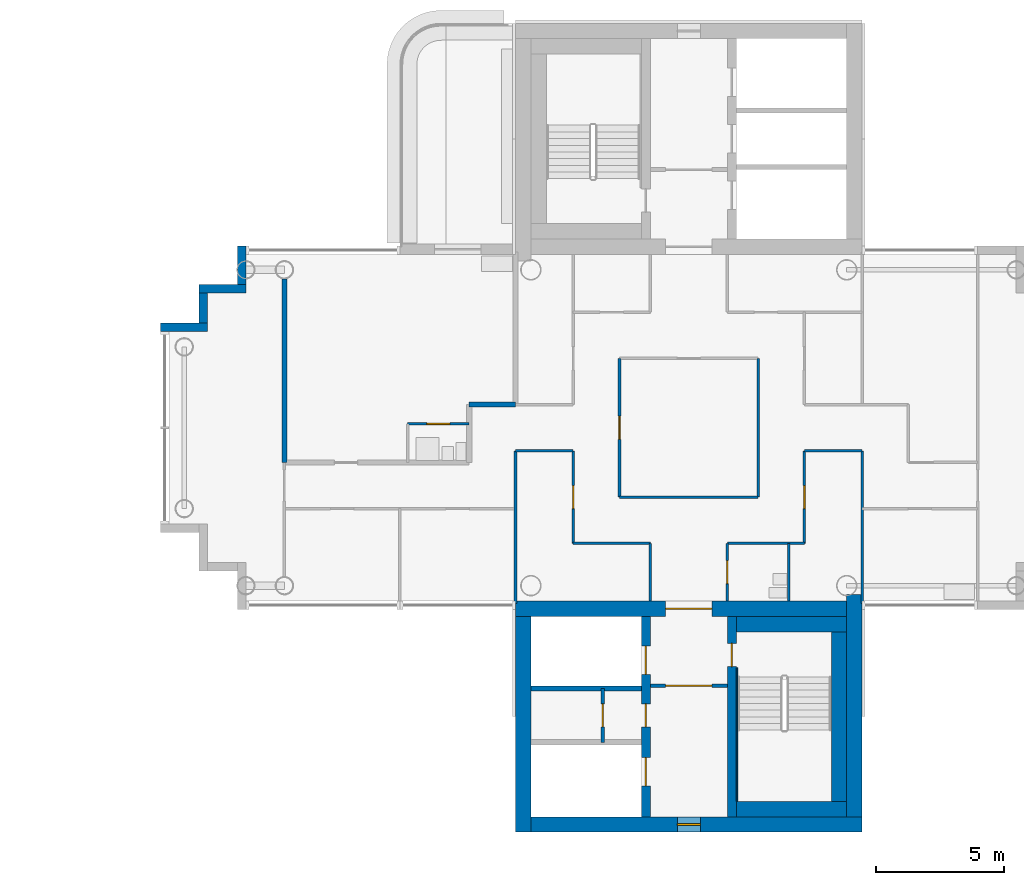
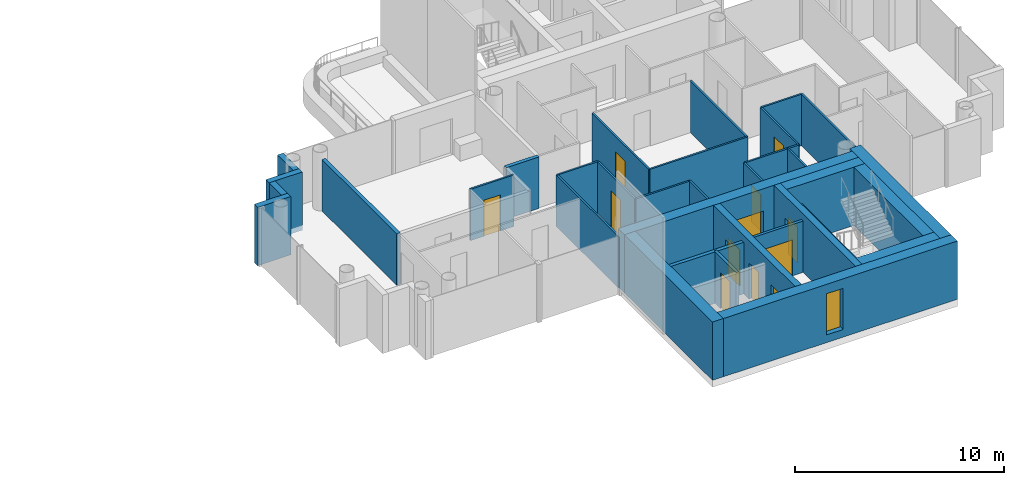
# One storey, part 9 of 18: 34 walls, 12 doors, 1 window, 13 openings.
"""IFC4 building model written with IfcOpenShell, lengths in metres."""

from ifc_helpers import new_model, si_unit, direction, frame, frame_2d, origin, place, context, subcontext, project, spatial, rectangle, extrude, material, layer, layer_set, type_object, element, fill, save


model = new_model("IFC4")

# Units and contexts
model_context = context("Model", 3, precision=1e-05, world=origin(), true_north=direction((0.0, 1.0)))
body_context = subcontext(model_context, "Body", "Model", "MODEL_VIEW")
ifc_project = project(units=[si_unit("LENGTHUNIT", "METRE"), si_unit("AREAUNIT", "SQUARE_METRE"), si_unit("VOLUMEUNIT", "CUBIC_METRE"), si_unit("PLANEANGLEUNIT", "RADIAN"), si_unit("MASSUNIT", "GRAM", prefix="KILO")], contexts=[model_context])

# Site, building, storey
site_placement = place(None, origin())
site = spatial("IfcSite", under=ifc_project, at=site_placement, CompositionType="ELEMENT")
building_placement = place(site_placement, origin())
building = spatial("IfcBuilding", under=site, at=building_placement, Name="Ipe Terrace Towers", CompositionType="ELEMENT")
storey_placement = place(building_placement, frame((0.0, 0.0, 226.60009765625)))
storey = spatial("IfcBuildingStorey", under=building, at=storey_placement, Name="L63", CompositionType="ELEMENT", Elevation=226.60009765625)

# Walls
ifc_material_1 = material(Name="Concrete C40/50 with buff precast cladding", Category="concrete")
ifc_layer_1 = layer(ifc_material_1, 0.320068359375)
ifc_layer_set_1 = layer_set([ifc_layer_1], Name="BUFF CLADDING WALL 320")
wall_type_1 = type_object("IfcWallType", Name="BUFF CLADDING WALL 320", PredefinedType="STANDARD", material=ifc_layer_set_1)
wall_1_placement = place(storey_placement, frame((18.590087890625, 7.070068359375, -0.300048828125), z_axis=(0.0, 0.0, 1.0), x_axis=(0.0, -1.0, 0.0)))
element("IfcWall", 1, at=wall_1_placement, inside=storey, type_object=wall_type_1, Name="T2-W-L63-22a wall", PredefinedType="STANDARD", context=body_context, shape_type="SweptSolid", body=[
    extrude(rectangle(XDim=1.5, YDim=0.320068359375, at=frame_2d((0.75, 0.0))), origin(), (0.0, 0.0, 1.0), 3.39990234375),
])
wall_2_placement = place(storey_placement, frame((18.75, 5.409912109375, -0.300048828125), z_axis=(0.0, 0.0, 1.0), x_axis=(-1.0, 0.0, 0.0)))
element("IfcWall", 2, at=wall_2_placement, inside=storey, type_object=wall_type_1, Name="T2-W-L63-23a wall", PredefinedType="STANDARD", context=body_context, shape_type="SweptSolid", body=[
    extrude(rectangle(XDim=1.820068359375, YDim=0.320068359375, at=frame_2d((0.91015625, 0.0))), origin(), (0.0, 0.0, 1.0), 3.39990234375),
])
wall_3_placement = place(storey_placement, frame((17.090087890625, 5.25, -0.300048828125), z_axis=(0.0, 0.0, 1.0), x_axis=(0.0, -1.0, 0.0)))
element("IfcWall", 3, at=wall_3_placement, inside=storey, type_object=wall_type_1, Name="T2-W-L63-24a wall", PredefinedType="STANDARD", context=body_context, shape_type="SweptSolid", body=[
    extrude(rectangle(XDim=1.179931640625, YDim=0.320068359375, at=frame_2d((0.58984375, 0.0))), origin(), (0.0, 0.0, 1.0), 3.39990234375),
])
wall_4_placement = place(storey_placement, frame((17.25, 3.909912109375, -0.300048828125), z_axis=(0.0, 0.0, 1.0), x_axis=(-1.0, 0.0, 0.0)))
element("IfcWall", 4, at=wall_4_placement, inside=storey, type_object=wall_type_1, Name="T2-W-L63-25a wall", PredefinedType="STANDARD", context=body_context, shape_type="SweptSolid", body=[
    extrude(rectangle(XDim=1.820068359375, YDim=0.320068359375, at=frame_2d((0.91015625, 0.0))), origin(), (0.0, 0.0, 1.0), 3.39990234375),
])
ifc_material_2 = material(Name="Gypsum board partition", Category="plasterboard")
ifc_layer_2 = layer(ifc_material_2, 0.10009765625)
ifc_layer_set_2 = layer_set([ifc_layer_2], Name="Gypsum board partition 100 mm")
wall_type_2 = type_object("IfcWallType", Name="Gypsum board partition 100 mm", PredefinedType="PARTITIONING", material=ifc_layer_set_2)
for number, where, z_axis, x_axis, name in (
    (5, (40.5, -4.5, 0.0), (0.0, 0.0, 1.0), (-1.0, 0.0, 0.0), "Gypsum board partition T2 L63 W01"),
    (6, (34.5, -4.5, 0.0), (0.0, 0.0, 1.0), (-1.0, 0.0, 0.0), "Gypsum board partition T2 L63 W02"),
):
    element("IfcWall", number, at=place(storey_placement, frame(where, z_axis=z_axis, x_axis=x_axis)), inside=storey, type_object=wall_type_2, Name=name, PredefinedType="PARTITIONING", context=body_context, shape_type="SweptSolid", body=[
        extrude(rectangle(XDim=3.0, YDim=0.10009765625, at=frame_2d((1.5, 0.0))), origin(), (0.0, 0.0, 1.0), 3.0),
    ])
wall_5_placement = place(storey_placement, frame((38.699951171875, -2.699951171875, 0.0), z_axis=(0.0, 0.0, 1.0), x_axis=(-1.0, 0.0, 0.0)))
element("IfcWall", 7, at=wall_5_placement, inside=storey, type_object=wall_type_2, Name="Gypsum board partition T2 L63 W05", PredefinedType="PARTITIONING", context=body_context, shape_type="SweptSolid", body=[
    extrude(rectangle(XDim=5.39990234375, YDim=0.10009765625, at=frame_2d((2.699951171875, 0.0))), origin(), (0.0, 0.0, 1.0), 3.0),
])
for number, where, z_axis, x_axis, name in (
    (8, (42.75, -0.89990234375, 0.0), (0.0, 0.0, 1.0), (-1.0, 0.0, 0.0), "Gypsum board partition T2 L63 W08"),
    (9, (31.5, -0.89990234375, 0.0), (0.0, 0.0, 1.0), (-1.0, 0.0, 0.0), "Gypsum board partition T2 L63 W09"),
):
    element("IfcWall", number, at=place(storey_placement, frame(where, z_axis=z_axis, x_axis=x_axis)), inside=storey, type_object=wall_type_2, Name=name, PredefinedType="PARTITIONING", context=body_context, shape_type="SweptSolid", body=[
        extrude(rectangle(XDim=2.25, YDim=0.10009765625, at=frame_2d((1.125, 0.0))), origin(), (0.0, 0.0, 1.0), 3.0),
    ])

# Wall, opening, door
wall_6_placement = place(storey_placement, frame((27.449951171875, 0.14990234375, 0.0), z_axis=(0.0, 0.0, 1.0), x_axis=(-1.0, 0.0, 0.0)))
wall_6 = element("IfcWall", 10, at=wall_6_placement, inside=storey, type_object=wall_type_2, Name="Gypsum board partition T2 L63 W10", PredefinedType="PARTITIONING", context=body_context, shape_type="SweptSolid", body=[
    extrude(rectangle(XDim=2.39990234375, YDim=0.10009765625, at=frame_2d((1.199951171875, 0.0))), origin(), (0.0, 0.0, 1.0), 3.0),
])
opening_1_placement = place(wall_6_placement, frame((0.75, 0.0, 0.0)))
opening_1 = element("IfcOpeningElement", 11, at=opening_1_placement, cuts=wall_6, Name="Opening T2-Z4A-13", PredefinedType="OPENING", context=body_context, shape_type="SweptSolid", body=[
    extrude(rectangle(XDim=0.89990234375, YDim=2.10009765625, at=frame_2d((0.449951171875, 1.050048828125))), frame((0.0, 0.06005859375, 0.0), z_axis=(0.0, -1.0, 0.0), x_axis=(1.0, 0.0, 0.0)), (0.0, 0.0, 1.0), 0.1201171875),
])
ifc_material_3 = material(Name="Timber door leaf", Category="wood")
door_type_1 = type_object("IfcDoorType", Name="Bathroom door 900 x 2100", OperationType="NOTDEFINED", PredefinedType="DOOR", material=ifc_material_3)
door_1_placement = place(opening_1_placement, origin())
door_1 = element("IfcDoor", 12, at=door_1_placement, inside=storey, type_object=door_type_1, Name="Bathroom door T2-Z4A-13", OperationType="SINGLE_SWING_LEFT", OverallHeight=2.10009765625, OverallWidth=0.89990234375, PredefinedType="DOOR", context=body_context, shape_type="SweptSolid", body=[
    extrude(rectangle(XDim=0.89990234375, YDim=2.10009765625, at=frame_2d((0.449951171875, 1.050048828125))), frame((0.0, 0.02490234375, 0.0), z_axis=(0.0, -1.0, 0.0), x_axis=(1.0, 0.0, 0.0)), (0.0, 0.0, 1.0), 0.050048828125),
])
fill(opening_1, door_1)

# Wall
wall_7_placement = place(storey_placement, frame((42.75, -6.85009765625, 0.0), z_axis=(0.0, 0.0, 1.0), x_axis=(0.0, 1.0, 0.0)))
element("IfcWall", 13, at=wall_7_placement, inside=storey, type_object=wall_type_2, Name="Gypsum board partition T2 L63 W19", PredefinedType="PARTITIONING", context=body_context, shape_type="SweptSolid", body=[
    extrude(rectangle(XDim=5.9501953125, YDim=0.10009765625, at=frame_2d((2.97509765625, 0.0))), origin(), (0.0, 0.0, 1.0), 3.0),
])

# Wall, opening, door
wall_8_placement = place(storey_placement, frame((40.5, -4.5, 0.0), z_axis=(0.0, 0.0, 1.0), x_axis=(0.0, 1.0, 0.0)))
wall_8 = element("IfcWall", 14, at=wall_8_placement, inside=storey, type_object=wall_type_2, Name="Gypsum board partition T2 L63 W21", PredefinedType="PARTITIONING", context=body_context, shape_type="SweptSolid", body=[
    extrude(rectangle(XDim=3.60009765625, YDim=0.10009765625, at=frame_2d((1.800048828125, 0.0))), origin(), (0.0, 0.0, 1.0), 3.0),
])
opening_2_placement = place(wall_8_placement, frame((1.35009765625, 0.0, 0.0)))
opening_2 = element("IfcOpeningElement", 15, at=opening_2_placement, cuts=wall_8, Name="Opening T2-Z4A-07", PredefinedType="OPENING", context=body_context, shape_type="SweptSolid", body=[
    extrude(rectangle(XDim=0.89990234375, YDim=2.10009765625, at=frame_2d((0.449951171875, 1.050048828125))), frame((0.0, 0.06005859375, 0.0), z_axis=(0.0, -1.0, 0.0), x_axis=(1.0, 0.0, 0.0)), (0.0, 0.0, 1.0), 0.1201171875),
])
ifc_material_4 = material(Name="Timber door leaf", Category="wood")
door_type_2 = type_object("IfcDoorType", Name="Lounge door 900 x 2100", OperationType="NOTDEFINED", PredefinedType="DOOR", material=ifc_material_4)
door_2_placement = place(opening_2_placement, origin())
door_2 = element("IfcDoor", 16, at=door_2_placement, inside=storey, type_object=door_type_2, Name="Lounge door T2-Z4A-07", OperationType="SINGLE_SWING_LEFT", OverallHeight=2.10009765625, OverallWidth=0.89990234375, PredefinedType="DOOR", context=body_context, shape_type="SweptSolid", body=[
    extrude(rectangle(XDim=0.89990234375, YDim=2.10009765625, at=frame_2d((0.449951171875, 1.050048828125))), frame((0.0, 0.02490234375, 0.0), z_axis=(0.0, -1.0, 0.0), x_axis=(1.0, 0.0, 0.0)), (0.0, 0.0, 1.0), 0.050048828125),
])
fill(opening_2, door_2)

# Walls
wall_9_placement = place(storey_placement, frame((39.89990234375, -6.75, 0.0), z_axis=(0.0, 0.0, 1.0), x_axis=(0.0, 1.0, 0.0)))
element("IfcWall", 17, at=wall_9_placement, inside=storey, type_object=wall_type_2, Name="Gypsum board partition T2 L63 W23", PredefinedType="PARTITIONING", context=body_context, shape_type="SweptSolid", body=[
    extrude(rectangle(XDim=2.25, YDim=0.10009765625, at=frame_2d((1.125, 0.0))), origin(), (0.0, 0.0, 1.0), 3.0),
])
wall_10_placement = place(storey_placement, frame((38.699951171875, -2.699951171875, 0.0), z_axis=(0.0, 0.0, 1.0), x_axis=(0.0, 1.0, 0.0)))
element("IfcWall", 18, at=wall_10_placement, inside=storey, type_object=wall_type_2, Name="Gypsum board partition T2 L63 W24", PredefinedType="PARTITIONING", context=body_context, shape_type="SweptSolid", body=[
    extrude(rectangle(XDim=5.39990234375, YDim=0.10009765625, at=frame_2d((2.699951171875, 0.0))), origin(), (0.0, 0.0, 1.0), 3.0),
])

# Wall, opening, door
wall_11_placement = place(storey_placement, frame((37.5, -6.75, 0.0), z_axis=(0.0, 0.0, 1.0), x_axis=(0.0, 1.0, 0.0)))
wall_11 = element("IfcWall", 19, at=wall_11_placement, inside=storey, type_object=wall_type_2, Name="Gypsum board partition T2 L63 W25", PredefinedType="PARTITIONING", context=body_context, shape_type="SweptSolid", body=[
    extrude(rectangle(XDim=2.25, YDim=0.10009765625, at=frame_2d((1.125, 0.0))), origin(), (0.0, 0.0, 1.0), 3.0),
])
opening_3_placement = place(wall_11_placement, frame((0.675048828125, 0.0, 0.0)))
opening_3 = element("IfcOpeningElement", 20, at=opening_3_placement, cuts=wall_11, Name="Opening T2-Z4A-03", PredefinedType="OPENING", context=body_context, shape_type="SweptSolid", body=[
    extrude(rectangle(XDim=0.89990234375, YDim=2.10009765625, at=frame_2d((0.449951171875, 1.050048828125))), frame((0.0, 0.06005859375, 0.0), z_axis=(0.0, -1.0, 0.0), x_axis=(1.0, 0.0, 0.0)), (0.0, 0.0, 1.0), 0.1201171875),
])
door_3_placement = place(opening_3_placement, origin())
door_3 = element("IfcDoor", 21, at=door_3_placement, inside=storey, type_object=door_type_1, Name="Bathroom door T2-Z4A-03", OperationType="SINGLE_SWING_RIGHT", OverallHeight=2.10009765625, OverallWidth=0.89990234375, PredefinedType="DOOR", context=body_context, shape_type="SweptSolid", body=[
    extrude(rectangle(XDim=0.89990234375, YDim=2.10009765625, at=frame_2d((0.449951171875, 1.050048828125))), frame((0.0, 0.02490234375, 0.0), z_axis=(0.0, -1.0, 0.0), x_axis=(1.0, 0.0, 0.0)), (0.0, 0.0, 1.0), 0.050048828125),
])
fill(opening_3, door_3)

# Wall
wall_12_placement = place(storey_placement, frame((34.5, -6.75, 0.0), z_axis=(0.0, 0.0, 1.0), x_axis=(0.0, 1.0, 0.0)))
element("IfcWall", 22, at=wall_12_placement, inside=storey, type_object=wall_type_2, Name="Gypsum board partition T2 L63 W27", PredefinedType="PARTITIONING", context=body_context, shape_type="SweptSolid", body=[
    extrude(rectangle(XDim=2.25, YDim=0.10009765625, at=frame_2d((1.125, 0.0))), origin(), (0.0, 0.0, 1.0), 3.0),
])

# Wall, opening, door
wall_13_placement = place(storey_placement, frame((33.300048828125, -2.699951171875, 0.0), z_axis=(0.0, 0.0, 1.0), x_axis=(0.0, 1.0, 0.0)))
wall_13 = element("IfcWall", 23, at=wall_13_placement, inside=storey, type_object=wall_type_2, Name="Gypsum board partition T2 L63 W29", PredefinedType="PARTITIONING", context=body_context, shape_type="SweptSolid", body=[
    extrude(rectangle(XDim=5.39990234375, YDim=0.10009765625, at=frame_2d((2.699951171875, 0.0))), origin(), (0.0, 0.0, 1.0), 3.0),
])
opening_4_placement = place(wall_13_placement, frame((2.25, 0.0, 0.0)))
opening_4 = element("IfcOpeningElement", 24, at=opening_4_placement, cuts=wall_13, Name="Opening T2-Z4A-01", PredefinedType="OPENING", context=body_context, shape_type="SweptSolid", body=[
    extrude(rectangle(XDim=0.89990234375, YDim=2.10009765625, at=frame_2d((0.449951171875, 1.050048828125))), frame((0.0, 0.06005859375, 0.0), z_axis=(0.0, -1.0, 0.0), x_axis=(1.0, 0.0, 0.0)), (0.0, 0.0, 1.0), 0.1201171875),
])
door_4_placement = place(opening_4_placement, origin())
door_4 = element("IfcDoor", 25, at=door_4_placement, inside=storey, type_object=door_type_2, Name="Lounge door T2-Z4A-01", OperationType="SINGLE_SWING_RIGHT", OverallHeight=2.10009765625, OverallWidth=0.89990234375, PredefinedType="DOOR", context=body_context, shape_type="SweptSolid", body=[
    extrude(rectangle(XDim=0.89990234375, YDim=2.10009765625, at=frame_2d((0.449951171875, 1.050048828125))), frame((0.0, 0.02490234375, 0.0), z_axis=(0.0, -1.0, 0.0), x_axis=(1.0, 0.0, 0.0)), (0.0, 0.0, 1.0), 0.050048828125),
])
fill(opening_4, door_4)

wall_14_placement = place(storey_placement, frame((31.5, -4.5, 0.0), z_axis=(0.0, 0.0, 1.0), x_axis=(0.0, 1.0, 0.0)))
wall_14 = element("IfcWall", 26, at=wall_14_placement, inside=storey, type_object=wall_type_2, Name="Gypsum board partition T2 L63 W30", PredefinedType="PARTITIONING", context=body_context, shape_type="SweptSolid", body=[
    extrude(rectangle(XDim=3.60009765625, YDim=0.10009765625, at=frame_2d((1.800048828125, 0.0))), origin(), (0.0, 0.0, 1.0), 3.0),
])
opening_5_placement = place(wall_14_placement, frame((1.35009765625, 0.0, 0.0)))
opening_5 = element("IfcOpeningElement", 27, at=opening_5_placement, cuts=wall_14, Name="Opening T2-Z4A-06", PredefinedType="OPENING", context=body_context, shape_type="SweptSolid", body=[
    extrude(rectangle(XDim=0.89990234375, YDim=2.10009765625, at=frame_2d((0.449951171875, 1.050048828125))), frame((0.0, 0.06005859375, 0.0), z_axis=(0.0, -1.0, 0.0), x_axis=(1.0, 0.0, 0.0)), (0.0, 0.0, 1.0), 0.1201171875),
])
door_5_placement = place(opening_5_placement, origin())
door_5 = element("IfcDoor", 28, at=door_5_placement, inside=storey, type_object=door_type_2, Name="Lounge door T2-Z4A-06", OperationType="SINGLE_SWING_LEFT", OverallHeight=2.10009765625, OverallWidth=0.89990234375, PredefinedType="DOOR", context=body_context, shape_type="SweptSolid", body=[
    extrude(rectangle(XDim=0.89990234375, YDim=2.10009765625, at=frame_2d((0.449951171875, 1.050048828125))), frame((0.0, 0.02490234375, 0.0), z_axis=(0.0, -1.0, 0.0), x_axis=(1.0, 0.0, 0.0)), (0.0, 0.0, 1.0), 0.050048828125),
])
fill(opening_5, door_5)

# Wall
wall_15_placement = place(storey_placement, frame((29.25, -6.85009765625, 0.0), z_axis=(0.0, 0.0, 1.0), x_axis=(0.0, 1.0, 0.0)))
element("IfcWall", 29, at=wall_15_placement, inside=storey, type_object=wall_type_2, Name="Gypsum board partition T2 L63 W32", PredefinedType="PARTITIONING", context=body_context, shape_type="SweptSolid", body=[
    extrude(rectangle(XDim=5.9501953125, YDim=0.10009765625, at=frame_2d((2.97509765625, 0.0))), origin(), (0.0, 0.0, 1.0), 3.0),
])

# Wall, opening, door
ifc_material_5 = material(Name="Gypsum board partition", Category="plasterboard")
ifc_layer_3 = layer(ifc_material_5, 0.14990234375)
ifc_layer_set_3 = layer_set([ifc_layer_3], Name="Gypsum board partition 150 mm")
wall_type_3 = type_object("IfcWallType", Name="Gypsum board partition 150 mm", PredefinedType="PARTITIONING", material=ifc_layer_set_3)
wall_16_placement = place(storey_placement, frame((34.5, -10.050048828125, 0.0), z_axis=(0.0, 0.0, 1.0), x_axis=(1.0, 0.0, 0.0)))
wall_16 = element("IfcWall", 30, at=wall_16_placement, inside=storey, type_object=wall_type_3, Name="Gypsum board partition T2 L63 t2c2-lobby-wall", PredefinedType="PARTITIONING", context=body_context, shape_type="SweptSolid", body=[
    extrude(rectangle(XDim=3.0, YDim=0.14990234375, at=frame_2d((1.5, 0.0))), origin(), (0.0, 0.0, 1.0), 3.0),
])
opening_6_placement = place(wall_16_placement, frame((0.60009765625, 0.0, 0.0)))
opening_6 = element("IfcOpeningElement", 31, at=opening_6_placement, cuts=wall_16, Name="Opening T2C2-VD", PredefinedType="OPENING", context=body_context, shape_type="SweptSolid", body=[
    extrude(rectangle(XDim=1.800048828125, YDim=2.10009765625, at=frame_2d((0.89990234375, 1.050048828125))), frame((0.0, 0.0849609375, 0.0), z_axis=(0.0, -1.0, 0.0), x_axis=(1.0, 0.0, 0.0)), (0.0, 0.0, 1.0), 0.169921875),
])
ifc_material_6 = material(Name="Fire-rated timber door leaf", Category="wood")
door_type_3 = type_object("IfcDoorType", Name="Lobby door 1800 x 2100 FD60", OperationType="NOTDEFINED", PredefinedType="DOOR", material=ifc_material_6)
door_6_placement = place(opening_6_placement, origin())
door_6 = element("IfcDoor", 32, at=door_6_placement, inside=storey, type_object=door_type_3, Name="Lobby door T2C2-VD", OperationType="SINGLE_SWING_LEFT", OverallHeight=2.10009765625, OverallWidth=1.800048828125, PredefinedType="DOOR", context=body_context, shape_type="SweptSolid", body=[
    extrude(rectangle(XDim=1.800048828125, YDim=2.10009765625, at=frame_2d((0.89990234375, 1.050048828125))), frame((0.0, 0.02490234375, 0.0), z_axis=(0.0, -1.0, 0.0), x_axis=(1.0, 0.0, 0.0)), (0.0, 0.0, 1.0), 0.050048828125),
])
fill(opening_6, door_6)

wall_17_placement = place(storey_placement, frame((32.64990234375, -10.14990234375, 0.0), z_axis=(0.0, 0.0, 1.0), x_axis=(0.0, -1.0, 0.0)))
wall_17 = element("IfcWall", 33, at=wall_17_placement, inside=storey, type_object=wall_type_3, Name="Gypsum board partition T2 L63 t2c2-q-back", PredefinedType="PARTITIONING", context=body_context, shape_type="SweptSolid", body=[
    extrude(rectangle(XDim=2.10009765625, YDim=0.14990234375, at=frame_2d((1.050048828125, 0.0))), origin(), (0.0, 0.0, 1.0), 3.0),
])
opening_7_placement = place(wall_17_placement, frame((0.60009765625, 0.0, 0.0)))
opening_7 = element("IfcOpeningElement", 34, at=opening_7_placement, cuts=wall_17, Name="Opening T2C2-RB-FD30S", PredefinedType="OPENING", context=body_context, shape_type="SweptSolid", body=[
    extrude(rectangle(XDim=0.89990234375, YDim=2.10009765625, at=frame_2d((0.449951171875, 1.050048828125))), frame((0.0, 0.0849609375, 0.0), z_axis=(0.0, -1.0, 0.0), x_axis=(1.0, 0.0, 0.0)), (0.0, 0.0, 1.0), 0.169921875),
])
ifc_material_7 = material(Name="Fire-rated timber door leaf", Category="wood")
door_type_4 = type_object("IfcDoorType", Name="Service door 900 x 2100 FD30S", OperationType="NOTDEFINED", PredefinedType="DOOR", material=ifc_material_7)
door_7_placement = place(opening_7_placement, origin())
door_7 = element("IfcDoor", 35, at=door_7_placement, inside=storey, type_object=door_type_4, Name="Service door T2C2-RB-FD30S", OperationType="SINGLE_SWING_LEFT", OverallHeight=2.10009765625, OverallWidth=0.89990234375, PredefinedType="DOOR", context=body_context, shape_type="SweptSolid", body=[
    extrude(rectangle(XDim=0.89990234375, YDim=2.10009765625, at=frame_2d((0.449951171875, 1.050048828125))), frame((0.0, 0.02490234375, 0.0), z_axis=(0.0, -1.0, 0.0), x_axis=(1.0, 0.0, 0.0)), (0.0, 0.0, 1.0), 0.050048828125),
])
fill(opening_7, door_7)

# Walls
ifc_material_8 = material(Name="Gypsum board party wall", Category="plasterboard")
ifc_layer_4 = layer(ifc_material_8, 0.199951171875)
ifc_layer_set_4 = layer_set([ifc_layer_4], Name="Gypsum board party wall 200 mm")
wall_type_4 = type_object("IfcWallType", Name="Gypsum board party wall 200 mm", PredefinedType="SOLIDWALL", material=ifc_layer_set_4)
wall_18_placement = place(storey_placement, frame((29.85009765625, -10.14990234375, 0.0), z_axis=(0.0, 0.0, 1.0), x_axis=(1.0, 0.0, 0.0)))
element("IfcWall", 36, at=wall_18_placement, inside=storey, type_object=wall_type_4, Name="Gypsum board party wall T2 L63 t2c2-shaft-div1", PredefinedType="SOLIDWALL", context=body_context, shape_type="SweptSolid", body=[
    extrude(rectangle(XDim=4.2998046875, YDim=0.199951171875, at=frame_2d((2.14990234375, 0.0))), origin(), (0.0, 0.0, 1.0), 3.0),
])
wall_19_placement = place(storey_placement, frame((29.25, 0.89990234375, 0.0), z_axis=(0.0, 0.0, 1.0), x_axis=(-1.0, 0.0, 0.0)))
element("IfcWall", 37, at=wall_19_placement, inside=storey, type_object=wall_type_4, Name="Gypsum board party wall T2 L63 W13", PredefinedType="SOLIDWALL", context=body_context, shape_type="SweptSolid", body=[
    extrude(rectangle(XDim=1.800048828125, YDim=0.199951171875, at=frame_2d((0.89990234375, 0.0))), origin(), (0.0, 0.0, 1.0), 3.0),
])
wall_20_placement = place(storey_placement, frame((20.25, -1.35009765625, 0.0), z_axis=(0.0, 0.0, 1.0), x_axis=(0.0, 1.0, 0.0)))
element("IfcWall", 38, at=wall_20_placement, inside=storey, type_object=wall_type_4, Name="Gypsum board party wall T2 L63 W38", PredefinedType="SOLIDWALL", context=body_context, shape_type="SweptSolid", body=[
    extrude(rectangle(XDim=7.150146484375, YDim=0.199951171875, at=frame_2d((3.5751953125, 0.0))), origin(), (0.0, 0.0, 1.0), 3.0),
])

# Wall, openings, doors
ifc_material_9 = material(Name="Concrete C40/50", Category="concrete")
ifc_layer_5 = layer(ifc_material_9, 0.35009765625)
ifc_layer_set_5 = layer_set([ifc_layer_5], Name="RW350 CORE SPINE WALL 350 C40-50")
wall_type_5 = type_object("IfcWallType", Name="RW350 CORE SPINE WALL 350 C40-50", PredefinedType="SHEAR", material=ifc_layer_set_5)
wall_21_placement = place(storey_placement, frame((34.324951171875, -15.14990234375, 0.0), z_axis=(0.0, 0.0, 1.0), x_axis=(0.0, 1.0, 0.0)))
wall_21 = element("IfcWall", 39, at=wall_21_placement, inside=storey, type_object=wall_type_5, Name="Core spine wall T2-C2-Z4-SW1", PredefinedType="SHEAR", context=body_context, shape_type="SweptSolid", body=[
    extrude(rectangle(XDim=7.7998046875, YDim=0.35009765625, at=frame_2d((3.89990234375, 0.0))), origin(), (0.0, 0.0, 1.0), 3.39990234375),
])
opening_8_placement = place(wall_21_placement, frame((5.550048828125, 0.0, 0.0)))
opening_8 = element("IfcOpeningElement", 40, at=opening_8_placement, cuts=wall_21, Name="Opening T2C2-LD1", PredefinedType="OPENING", context=body_context, shape_type="SweptSolid", body=[
    extrude(rectangle(XDim=1.10009765625, YDim=2.10009765625, at=frame_2d((0.550048828125, 1.050048828125))), frame((0.0, 0.18505859375, 0.0), z_axis=(0.0, -1.0, 0.0), x_axis=(1.0, 0.0, 0.0)), (0.0, 0.0, 1.0), 0.3701171875),
])
opening_9_placement = place(wall_21_placement, frame((1.199951171875, 0.0, 0.0)))
opening_9 = element("IfcOpeningElement", 41, at=opening_9_placement, cuts=wall_21, Name="Opening T2C2-LD3", PredefinedType="OPENING", context=body_context, shape_type="SweptSolid", body=[
    extrude(rectangle(XDim=1.10009765625, YDim=2.10009765625, at=frame_2d((0.550048828125, 1.050048828125))), frame((0.0, 0.18505859375, 0.0), z_axis=(0.0, -1.0, 0.0), x_axis=(1.0, 0.0, 0.0)), (0.0, 0.0, 1.0), 0.3701171875),
])
opening_10_placement = place(wall_21_placement, frame((3.5, 0.0, 0.0)))
opening_10 = element("IfcOpeningElement", 42, at=opening_10_placement, cuts=wall_21, Name="Opening T2C2-R1", PredefinedType="OPENING", context=body_context, shape_type="SweptSolid", body=[
    extrude(rectangle(XDim=0.89990234375, YDim=2.10009765625, at=frame_2d((0.449951171875, 1.050048828125))), frame((0.0, 0.18505859375, 0.0), z_axis=(0.0, -1.0, 0.0), x_axis=(1.0, 0.0, 0.0)), (0.0, 0.0, 1.0), 0.3701171875),
])
ifc_material_10 = material(Name="Fire-rated timber door leaf", Category="wood")
door_type_5 = type_object("IfcDoorType", Name="Sliding door 1100 x 2100 FD60", OperationType="SLIDING_TO_LEFT", PredefinedType="DOOR", material=ifc_material_10)
door_8_placement = place(opening_8_placement, origin())
door_8 = element("IfcDoor", 43, at=door_8_placement, inside=storey, type_object=door_type_5, Name="Sliding door T2C2-LD1", OperationType="SLIDING_TO_LEFT", OverallHeight=2.10009765625, OverallWidth=1.10009765625, PredefinedType="DOOR", context=body_context, shape_type="SweptSolid", body=[
    extrude(rectangle(XDim=1.10009765625, YDim=2.10009765625, at=frame_2d((0.550048828125, 1.050048828125))), frame((0.0, 0.02490234375, 0.0), z_axis=(0.0, -1.0, 0.0), x_axis=(1.0, 0.0, 0.0)), (0.0, 0.0, 1.0), 0.050048828125),
])
fill(opening_8, door_8)
door_9_placement = place(opening_9_placement, origin())
door_9 = element("IfcDoor", 44, at=door_9_placement, inside=storey, type_object=door_type_5, Name="Sliding door T2C2-LD3", OperationType="SLIDING_TO_LEFT", OverallHeight=2.10009765625, OverallWidth=1.10009765625, PredefinedType="DOOR", context=body_context, shape_type="SweptSolid", body=[
    extrude(rectangle(XDim=1.10009765625, YDim=2.10009765625, at=frame_2d((0.550048828125, 1.050048828125))), frame((0.0, 0.02490234375, 0.0), z_axis=(0.0, -1.0, 0.0), x_axis=(1.0, 0.0, 0.0)), (0.0, 0.0, 1.0), 0.050048828125),
])
fill(opening_9, door_9)
ifc_material_11 = material(Name="Timber door leaf", Category="wood")
door_type_6 = type_object("IfcDoorType", Name="Store door 900 x 2100", OperationType="NOTDEFINED", PredefinedType="DOOR", material=ifc_material_11)
door_10_placement = place(opening_10_placement, origin())
door_10 = element("IfcDoor", 45, at=door_10_placement, inside=storey, type_object=door_type_6, Name="Store door T2C2-R1", OperationType="SINGLE_SWING_LEFT", OverallHeight=2.10009765625, OverallWidth=0.89990234375, PredefinedType="DOOR", context=body_context, shape_type="SweptSolid", body=[
    extrude(rectangle(XDim=0.89990234375, YDim=2.10009765625, at=frame_2d((0.449951171875, 1.050048828125))), frame((0.0, 0.02490234375, 0.0), z_axis=(0.0, -1.0, 0.0), x_axis=(1.0, 0.0, 0.0)), (0.0, 0.0, 1.0), 0.050048828125),
])
fill(opening_10, door_10)

# Wall, opening, door
wall_22_placement = place(storey_placement, frame((37.675048828125, -15.14990234375, 0.0), z_axis=(0.0, 0.0, 1.0), x_axis=(0.0, 1.0, 0.0)))
wall_22 = element("IfcWall", 46, at=wall_22_placement, inside=storey, type_object=wall_type_5, Name="Core spine wall T2-C2-Z4-SW2", PredefinedType="SHEAR", context=body_context, shape_type="SweptSolid", body=[
    extrude(rectangle(XDim=7.7998046875, YDim=0.35009765625, at=frame_2d((3.89990234375, 0.0))), origin(), (0.0, 0.0, 1.0), 3.39990234375),
])
opening_11_placement = place(wall_22_placement, frame((5.85009765625, 0.0, 0.0)))
opening_11 = element("IfcOpeningElement", 47, at=opening_11_placement, cuts=wall_22, Name="Opening T2C2-SD", PredefinedType="OPENING", context=body_context, shape_type="SweptSolid", body=[
    extrude(rectangle(XDim=0.89990234375, YDim=2.10009765625, at=frame_2d((0.449951171875, 1.050048828125))), frame((0.0, 0.18505859375, 0.0), z_axis=(0.0, -1.0, 0.0), x_axis=(1.0, 0.0, 0.0)), (0.0, 0.0, 1.0), 0.3701171875),
])
ifc_material_12 = material(Name="Fire-rated timber door leaf", Category="wood")
door_type_7 = type_object("IfcDoorType", Name="Stair door 900 x 2100 FD60", OperationType="NOTDEFINED", PredefinedType="DOOR", material=ifc_material_12)
door_11_placement = place(opening_11_placement, origin())
door_11 = element("IfcDoor", 48, at=door_11_placement, inside=storey, type_object=door_type_7, Name="Stair door T2C2-SD", OperationType="SINGLE_SWING_RIGHT", OverallHeight=2.10009765625, OverallWidth=0.89990234375, PredefinedType="DOOR", context=body_context, shape_type="SweptSolid", body=[
    extrude(rectangle(XDim=0.89990234375, YDim=2.10009765625, at=frame_2d((0.449951171875, 1.050048828125))), frame((0.0, 0.02490234375, 0.0), z_axis=(0.0, -1.0, 0.0), x_axis=(1.0, 0.0, 0.0)), (0.0, 0.0, 1.0), 0.050048828125),
])
fill(opening_11, door_11)

# Walls
ifc_material_13 = material(Name="Concrete C40/50", Category="concrete")
ifc_layer_6 = layer(ifc_material_13, 0.050048828125)
ifc_layer_set_6 = layer_set([ifc_layer_6], Name="RW50 CORE INFILL WALL 50 C40-50")
wall_type_6 = type_object("IfcWallType", Name="RW50 CORE INFILL WALL 50 C40-50", PredefinedType="SHEAR", material=ifc_layer_set_6)
wall_23_placement = place(storey_placement, frame((37.875, -9.35009765625, 0.0), z_axis=(0.0, 0.0, 1.0), x_axis=(0.0, -1.0, 0.0)))
element("IfcWall", 49, at=wall_23_placement, inside=storey, type_object=wall_type_6, Name="Core infill wall T2-C2-spine-b", PredefinedType="SHEAR", context=body_context, shape_type="SweptSolid", body=[
    extrude(rectangle(XDim=5.199951171875, YDim=0.050048828125, at=frame_2d((2.60009765625, 0.0))), origin(), (0.0, 0.0, 1.0), 3.39990234375),
])
ifc_material_14 = material(Name="Concrete C40/50", Category="concrete")
ifc_layer_7 = layer(ifc_material_14, 0.60009765625)
ifc_layer_set_7 = layer_set([ifc_layer_7], Name="RW600 CORE INFILL WALL 600 C40-50")
wall_type_7 = type_object("IfcWallType", Name="RW600 CORE INFILL WALL 600 C40-50", PredefinedType="SHEAR", material=ifc_layer_set_7)
wall_24_placement = place(storey_placement, frame((37.85009765625, -14.85009765625, 0.0), z_axis=(0.0, 0.0, 1.0), x_axis=(1.0, 0.0, 0.0)))
element("IfcWall", 50, at=wall_24_placement, inside=storey, type_object=wall_type_7, Name="Core infill wall T2-C2-far", PredefinedType="SHEAR", context=body_context, shape_type="SweptSolid", body=[
    extrude(rectangle(XDim=4.2998046875, YDim=0.60009765625, at=frame_2d((2.14990234375, 0.0))), origin(), (0.0, 0.0, 1.0), 3.39990234375),
])
wall_25_placement = place(storey_placement, frame((41.85009765625, -7.949951171875, 0.0), z_axis=(0.0, 0.0, 1.0), x_axis=(0.0, -1.0, 0.0)))
element("IfcWall", 51, at=wall_25_placement, inside=storey, type_object=wall_type_7, Name="Core infill wall T2-C2-back", PredefinedType="SHEAR", context=body_context, shape_type="SweptSolid", body=[
    extrude(rectangle(XDim=6.60009765625, YDim=0.60009765625, at=frame_2d((3.300048828125, 0.0))), origin(), (0.0, 0.0, 1.0), 3.39990234375),
])
wall_26_placement = place(storey_placement, frame((37.85009765625, -7.64990234375, 0.0), z_axis=(0.0, 0.0, 1.0), x_axis=(1.0, 0.0, 0.0)))
element("IfcWall", 52, at=wall_26_placement, inside=storey, type_object=wall_type_7, Name="Core infill wall T2-C2-near", PredefinedType="SHEAR", context=body_context, shape_type="SweptSolid", body=[
    extrude(rectangle(XDim=4.2998046875, YDim=0.60009765625, at=frame_2d((2.14990234375, 0.0))), origin(), (0.0, 0.0, 1.0), 3.39990234375),
])

# Wall, opening, window
ifc_material_15 = material(Name="Concrete C40/50", Category="concrete")
ifc_layer_8 = layer(ifc_material_15, 0.60009765625)
ifc_layer_set_8 = layer_set([ifc_layer_8], Name="RW600 CORE WALL 600 C40-50")
wall_type_8 = type_object("IfcWallType", Name="RW600 CORE WALL 600 C40-50", PredefinedType="SHEAR", material=ifc_layer_set_8)
wall_27_placement = place(storey_placement, frame((29.85009765625, -15.449951171875, 0.0), z_axis=(0.0, 0.0, 1.0), x_axis=(1.0, 0.0, 0.0)))
wall_27 = element("IfcWall", 53, at=wall_27_placement, inside=storey, type_object=wall_type_8, Name="Core wall T2-C2-Z4-W01", PredefinedType="SHEAR", context=body_context, shape_type="SweptSolid", body=[
    extrude(rectangle(XDim=12.89990234375, YDim=0.60009765625, at=frame_2d((6.449951171875, 0.0))), origin(), (0.0, 0.0, 1.0), 3.39990234375),
])
opening_12_placement = place(wall_27_placement, frame((5.699951171875, 0.0, 0.449951171875)))
opening_12 = element("IfcOpeningElement", 54, at=opening_12_placement, cuts=wall_27, Name="Opening T2-C2-W-01-L63", PredefinedType="OPENING", context=body_context, shape_type="SweptSolid", body=[
    extrude(rectangle(XDim=0.89990234375, YDim=2.39990234375, at=frame_2d((0.449951171875, 1.199951171875))), frame((0.0, 0.31005859375, 0.0), z_axis=(0.0, -1.0, 0.0), x_axis=(1.0, 0.0, 0.0)), (0.0, 0.0, 1.0), 0.6201171875),
])
ifc_material_16 = material(Name="Fire-resistant glazing EI 60", Category="glass")
window_type = type_object("IfcWindowType", Name="CORRIDOR END SLOT WINDOW 900 x 2400 EI 60", PartitioningType="SINGLE_PANEL", PredefinedType="WINDOW", material=ifc_material_16)
window_placement = place(opening_12_placement, origin())
window = element("IfcWindow", 55, at=window_placement, inside=storey, type_object=window_type, Name="W-01 window", OverallHeight=2.39990234375, OverallWidth=0.89990234375, PartitioningType="SINGLE_PANEL", PredefinedType="WINDOW", context=body_context, shape_type="SweptSolid", body=[
    extrude(rectangle(XDim=0.89990234375, YDim=2.39990234375, at=frame_2d((0.449951171875, 1.199951171875))), frame((0.0, 0.030029296875, 0.0), z_axis=(0.0, -1.0, 0.0), x_axis=(1.0, 0.0, 0.0)), (0.0, 0.0, 1.0), 0.06005859375),
])
fill(opening_12, window)

# Wall
wall_28_placement = place(storey_placement, frame((42.449951171875, -15.14990234375, 0.0), z_axis=(0.0, 0.0, 1.0), x_axis=(0.0, 1.0, 0.0)))
element("IfcWall", 56, at=wall_28_placement, inside=storey, type_object=wall_type_8, Name="Core wall T2-C2-Z4-W02", PredefinedType="SHEAR", context=body_context, shape_type="SweptSolid", body=[
    extrude(rectangle(XDim=8.64794921875, YDim=0.60009765625, at=frame_2d((4.323974609375, 0.0))), origin(), (0.0, 0.0, 1.0), 3.39990234375),
])

# Wall, opening, door
wall_29_placement = place(storey_placement, frame((42.14990234375, -7.050048828125, 0.0), z_axis=(0.0, 0.0, 1.0), x_axis=(-1.0, 0.0, 0.0)))
wall_29 = element("IfcWall", 57, at=wall_29_placement, inside=storey, type_object=wall_type_8, Name="Core wall T2-C2-Z4-W03", PredefinedType="SHEAR", context=body_context, shape_type="SweptSolid", body=[
    extrude(rectangle(XDim=12.89990234375, YDim=0.60009765625, at=frame_2d((6.449951171875, 0.0))), origin(), (0.0, 0.0, 1.0), 3.39990234375),
])
opening_13_placement = place(wall_29_placement, frame((5.25, 0.0, 0.0)))
opening_13 = element("IfcOpeningElement", 58, at=opening_13_placement, cuts=wall_29, Name="Opening T2C2-ND", PredefinedType="OPENING", context=body_context, shape_type="SweptSolid", body=[
    extrude(rectangle(XDim=1.800048828125, YDim=2.10009765625, at=frame_2d((0.89990234375, 1.050048828125))), frame((0.0, 0.31005859375, 0.0), z_axis=(0.0, -1.0, 0.0), x_axis=(1.0, 0.0, 0.0)), (0.0, 0.0, 1.0), 0.6201171875),
])
ifc_material_17 = material(Name="Fire-rated timber door leaf", Category="wood")
door_type_8 = type_object("IfcDoorType", Name="Fire door 1800 x 2100 FD30S", OperationType="NOTDEFINED", PredefinedType="DOOR", material=ifc_material_17)
door_12_placement = place(opening_13_placement, origin())
door_12 = element("IfcDoor", 59, at=door_12_placement, inside=storey, type_object=door_type_8, Name="Fire door T2C2-ND", OperationType="SINGLE_SWING_LEFT", OverallHeight=2.10009765625, OverallWidth=1.800048828125, PredefinedType="DOOR", context=body_context, shape_type="SweptSolid", body=[
    extrude(rectangle(XDim=1.800048828125, YDim=2.10009765625, at=frame_2d((0.89990234375, 1.050048828125))), frame((0.0, 0.02490234375, 0.0), z_axis=(0.0, -1.0, 0.0), x_axis=(1.0, 0.0, 0.0)), (0.0, 0.0, 1.0), 0.050048828125),
])
fill(opening_13, door_12)

# Wall
wall_30_placement = place(storey_placement, frame((29.550048828125, -7.35009765625, 0.0), z_axis=(0.0, 0.0, 1.0), x_axis=(0.0, -1.0, 0.0)))
element("IfcWall", 60, at=wall_30_placement, inside=storey, type_object=wall_type_8, Name="Core wall T2-C2-Z4-W04", PredefinedType="SHEAR", context=body_context, shape_type="SweptSolid", body=[
    extrude(rectangle(XDim=8.39990234375, YDim=0.60009765625, at=frame_2d((4.199951171875, 0.0))), origin(), (0.0, 0.0, 1.0), 3.39990234375),
])

save(model, "model.ifc")
